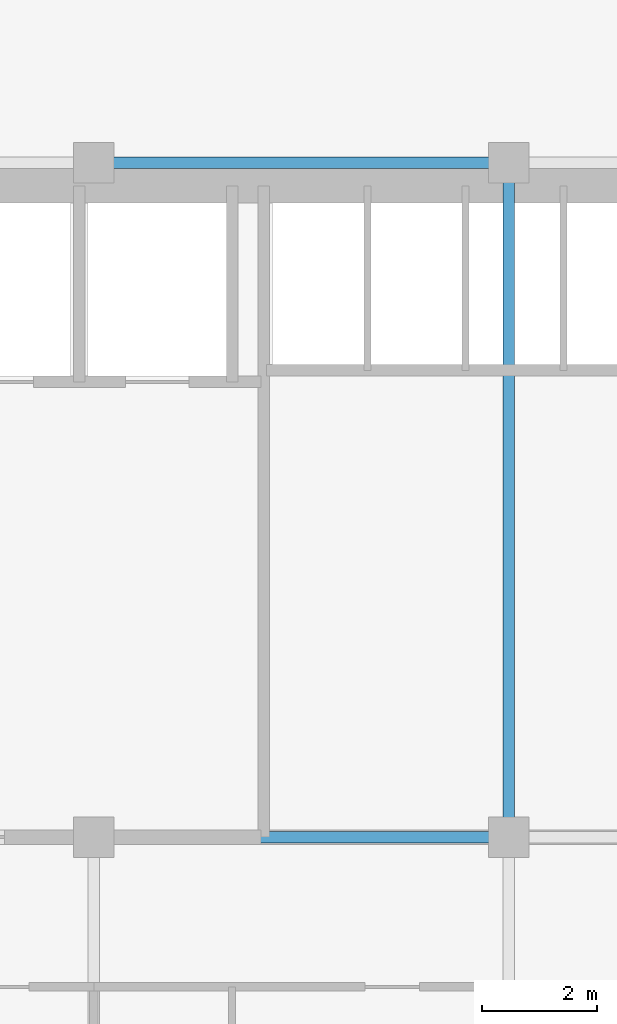
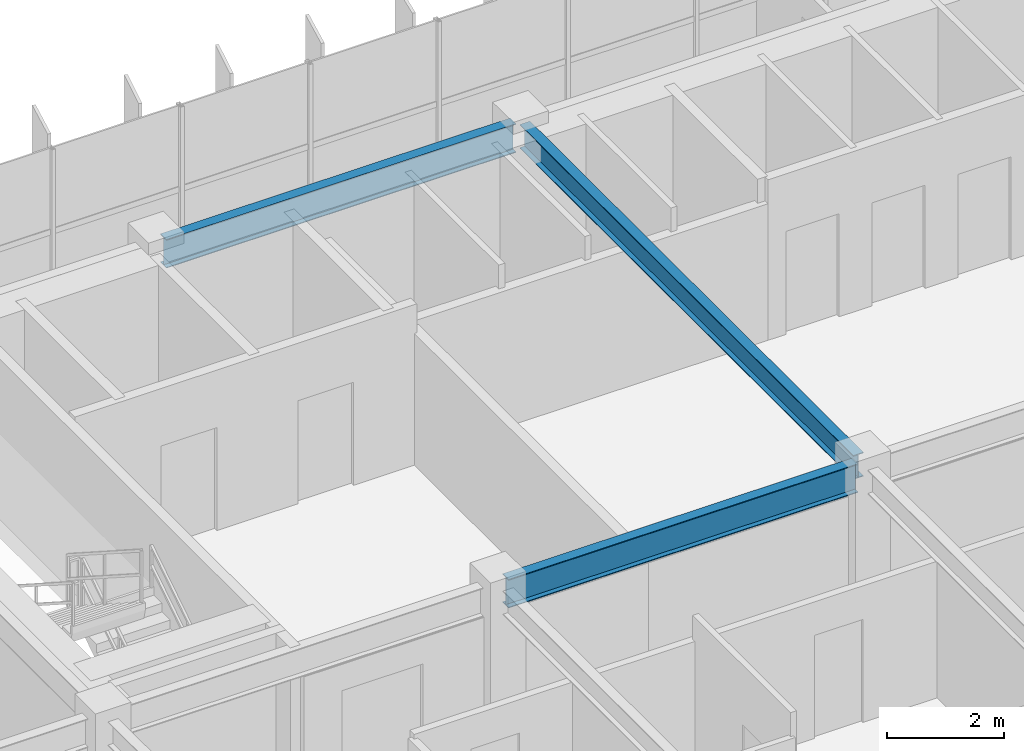
# One storey, part 5 of 22: 3 beams.
"""IFC4 building model written with IfcOpenShell, lengths in metres."""

import ifcopenshell
import ifcopenshell.guid

model = None  # the IFC model being written
_history = None  # IfcOwnerHistory: only IFC2X3 demands one
_inside = {}  # id of a spatial element -> (the spatial element, [elements in it])
_under = {}  # id of a project, library or spatial element -> (it, [spatial elements below it])
_declared = {}  # id of a project -> (the project, [libraries it declares])
_typed = {}  # id of a type object -> (the type object, [elements of that type])
_made_of = {}  # id of a material, layer set ... -> (it, [elements and type objects made of it])


def new_model(schema):
    """Start an empty IFC model of exactly this schema.

    Asked for "IFC4X3", IfcOpenShell would pick the latest addendum, in which some entities
    have other attributes; the version numbers below select the first issue.
    IFC2X3 requires an IfcOwnerHistory on every rooted entity: one is made here for all.
    """
    global model, _history
    if schema == "IFC4X3":
        model = ifcopenshell.file(schema_version=(4, 3, 0, 0))
    else:
        model = ifcopenshell.file(schema=schema)
    _inside.clear()
    _under.clear()
    _declared.clear()
    _typed.clear()
    _made_of.clear()
    _history = None
    if model.schema == "IFC2X3":
        org = make("IfcOrganization", Name="unknown")
        user = make(
            "IfcPersonAndOrganization",
            ThePerson=make("IfcPerson", FamilyName="unknown"),
            TheOrganization=org,
        )
        app = make(
            "IfcApplication",
            ApplicationDeveloper=org,
            Version="unknown",
            ApplicationFullName="unknown",
            ApplicationIdentifier="unknown",
        )
        _history = make(
            "IfcOwnerHistory",
            OwningUser=user,
            OwningApplication=app,
            ChangeAction="ADDED",
            CreationDate=0,
        )
    return model


def make(cls, **values):
    """One entity of the class cls with the attributes given. An attribute that is None is left unset."""
    return model.create_entity(
        cls, **{name: value for name, value in values.items() if value is not None}
    )


def rooted(cls, **values):
    """An entity with a GlobalId (a new one), such as an element, a storey or a relation."""
    return make(cls, GlobalId=ifcopenshell.guid.new(), OwnerHistory=_history, **values)


def si_unit(unit_type, name, prefix=None):
    """IfcSIUnit, for example si_unit("LENGTHUNIT", "METRE", prefix="MILLI")."""
    return make("IfcSIUnit", UnitType=unit_type, Prefix=prefix, Name=name)


def assignment(units):
    """IfcUnitAssignment: the units of a project."""
    return None if units is None else make("IfcUnitAssignment", Units=units)


def point(xyz):
    """IfcCartesianPoint."""
    return None if xyz is None else make("IfcCartesianPoint", Coordinates=xyz)


def direction(xyz):
    """IfcDirection."""
    return None if xyz is None else make("IfcDirection", DirectionRatios=xyz)


def frame(location, z_axis=None, x_axis=None):
    """IfcAxis2Placement3D, a coordinate frame: its origin and axes. An axis left out is left unset."""
    return make(
        "IfcAxis2Placement3D",
        Location=point(location),
        Axis=direction(z_axis),
        RefDirection=direction(x_axis),
    )


def frame_2d(location, x_axis=None):
    """IfcAxis2Placement2D, a coordinate frame in the plane: its origin and x axis."""
    return make(
        "IfcAxis2Placement2D", Location=point(location), RefDirection=direction(x_axis)
    )


def origin():
    """The frame at (0, 0, 0) with its axes left unset."""
    return frame((0.0, 0.0, 0.0))


def origin_2d():
    """The frame at (0, 0) in the plane with its x axis left unset."""
    return frame_2d((0.0, 0.0))


def place(relative_to, where):
    """IfcLocalPlacement: puts the frame where relative to a parent placement (None: the world)."""
    return make(
        "IfcLocalPlacement", PlacementRelTo=relative_to, RelativePlacement=where
    )


def context(
    kind, dimensions, precision=None, world=None, true_north=None, identifier=None
):
    """IfcGeometricRepresentationContext, for example the 3D "Model" context."""
    return make(
        "IfcGeometricRepresentationContext",
        ContextIdentifier=identifier,
        ContextType=kind,
        CoordinateSpaceDimension=dimensions,
        Precision=precision,
        WorldCoordinateSystem=world,
        TrueNorth=true_north,
    )


def subcontext(parent, identifier, kind, view, scale=None):
    """IfcGeometricRepresentationSubContext, for example "Body" below "Model"."""
    return make(
        "IfcGeometricRepresentationSubContext",
        ContextIdentifier=identifier,
        ContextType=kind,
        ParentContext=parent,
        TargetScale=scale,
        TargetView=view,
    )


def project(units=None, contexts=None):
    """IfcProject with its units and contexts."""
    return rooted(
        "IfcProject",
        Name="project",
        RepresentationContexts=contexts,
        UnitsInContext=assignment(units),
    )


def spatial(cls, under=None, at=None, **own):
    """A site, building, storey or space (cls), placed at a placement, below another one or the project."""
    s = rooted(cls, ObjectPlacement=at, **own)
    if under is not None:
        _under.setdefault(under.id(), (under, []))[1].append(s)
    return s


def profile(cls, at=None, kind="AREA", **sizes):
    """A parametric profile (cls). Its sizes go by their IFC names, for example OverallWidth=200.0."""
    return make(cls, ProfileType=kind, Position=at, **sizes)


def i_section(**sizes):
    """IfcIShapeProfileDef."""
    return profile("IfcIShapeProfileDef", **sizes)


def extrude(swept, where, along, depth):
    """IfcExtrudedAreaSolid: the profile swept, set in the frame where, extruded along a direction by depth."""
    return make(
        "IfcExtrudedAreaSolid",
        SweptArea=swept,
        Position=where,
        ExtrudedDirection=direction(along),
        Depth=depth,
    )


def shape(context_of_items, identifier, shape_type, items):
    """IfcShapeRepresentation: the items that make up one representation, for example the "Body"."""
    return make(
        "IfcShapeRepresentation",
        ContextOfItems=context_of_items,
        RepresentationIdentifier=identifier,
        RepresentationType=shape_type,
        Items=items,
    )


def source(mapping_origin, context_of_items, identifier, shape_type, items):
    """IfcRepresentationMap: a shape defined once, which mapped items show again and again."""
    return make(
        "IfcRepresentationMap",
        MappingOrigin=mapping_origin,
        MappedRepresentation=shape(context_of_items, identifier, shape_type, items),
    )


def transform(
    local_origin,
    x_axis=None,
    y_axis=None,
    z_axis=None,
    scale=None,
    scale2=None,
    scale3=None,
    uniform=True,
):
    """IfcCartesianTransformationOperator3D, or its non-uniform kind. x_axis, y_axis, z_axis: its Axis1, 2, 3."""
    if uniform:
        return make(
            "IfcCartesianTransformationOperator3D",
            Axis1=direction(x_axis),
            Axis2=direction(y_axis),
            LocalOrigin=point(local_origin),
            Scale=scale,
            Axis3=direction(z_axis),
        )
    return make(
        "IfcCartesianTransformationOperator3DnonUniform",
        Axis1=direction(x_axis),
        Axis2=direction(y_axis),
        LocalOrigin=point(local_origin),
        Scale=scale,
        Axis3=direction(z_axis),
        Scale2=scale2,
        Scale3=scale3,
    )


def mapped(mapping_source, mapping_target):
    """IfcMappedItem: shows the shape of a source again, moved by a transform."""
    return make(
        "IfcMappedItem", MappingSource=mapping_source, MappingTarget=mapping_target
    )


def material(Name=None, Category=None):
    """IfcMaterial."""
    return make("IfcMaterial", Name=Name, Category=Category)


def material_profile(
    of_material, cross_section, Name=None, Category=None, Priority=None
):
    """IfcMaterialProfile: a cross section and its material."""
    return make(
        "IfcMaterialProfile",
        Name=Name,
        Material=of_material,
        Profile=cross_section,
        Priority=Priority,
        Category=Category,
    )


def profile_set(profiles, Name=None, composite=None):
    """IfcMaterialProfileSet."""
    return make(
        "IfcMaterialProfileSet",
        Name=Name,
        MaterialProfiles=profiles,
        CompositeProfile=composite,
    )


def made_of(thing, what):
    """Note that an element or type object is made of a material, layer set ...; save() writes the relation."""
    if what is not None:
        _made_of.setdefault(what.id(), (what, []))[1].append(thing)
    return thing


def type_object(cls, material=None, **own):
    """A type object (cls), such as IfcWallType, which elements share."""
    return made_of(rooted(cls, **own), material)


def element(
    cls,
    number,
    at=None,
    inside=None,
    cuts=None,
    type_object=None,
    material=None,
    context=None,
    identifier="Body",
    shape_type=None,
    held_by="IfcProductDefinitionShape",
    body=None,
    shapes=None,
    **own,
):
    """One element of the class cls, such as IfcWall. Its Tag is "e" and its number.

    at: its placement. inside: the storey or other place that contains it. cuts: it is an
    opening in that element (IfcRelVoidsElement). A single representation is given by context,
    identifier, shape_type and body (its items); several are given by shapes. held_by: the class
    of the entity that holds the representations. save() writes the other relations.
    """
    e = rooted(cls, Tag="e%d" % number, ObjectPlacement=at, **own)
    if body is not None:
        shapes = [shape(context, identifier, shape_type, body)]
    if shapes is not None:
        e.Representation = make(held_by, Representations=shapes)
    if inside is not None:
        _inside.setdefault(inside.id(), (inside, []))[1].append(e)
    if cuts is not None:
        rooted(
            "IfcRelVoidsElement", RelatingBuildingElement=cuts, RelatedOpeningElement=e
        )
    if type_object is not None:
        _typed.setdefault(type_object.id(), (type_object, []))[1].append(e)
    return made_of(e, material)


def aggregate(whole, parts):
    """IfcRelAggregates: a whole, such as a stair, and the parts it consists of."""
    return rooted("IfcRelAggregates", RelatingObject=whole, RelatedObjects=parts)


def save(model, path):
    """Write the relations noted so far, then the file.

    IfcRelAggregates (storeys below a building ...), IfcRelContainedInSpatialStructure (elements
    in a storey), IfcRelDefinesByType, IfcRelAssociatesMaterial and IfcRelDeclares: one each for
    every whole, place, type object, material and project.
    """
    for whole, parts in _under.values():
        aggregate(whole, parts)
    for where, things in _inside.values():
        rooted(
            "IfcRelContainedInSpatialStructure",
            RelatedElements=things,
            RelatingStructure=where,
        )
    for kind, things in _typed.values():
        rooted("IfcRelDefinesByType", RelatedObjects=things, RelatingType=kind)
    for what, things in _made_of.values():
        rooted("IfcRelAssociatesMaterial", RelatedObjects=things, RelatingMaterial=what)
    for by, libraries in _declared.values():
        rooted("IfcRelDeclares", RelatingContext=by, RelatedDefinitions=libraries)
    model.write(path)


model = new_model("IFC4")

# Units and contexts
model_context = context("Model", 3, precision=1e-05, world=origin(), true_north=direction((0.0, 1.0)))
body_context = subcontext(model_context, "Body", "Model", "MODEL_VIEW")
ifc_project = project(units=[si_unit("LENGTHUNIT", "METRE"), si_unit("AREAUNIT", "SQUARE_METRE"), si_unit("VOLUMEUNIT", "CUBIC_METRE"), si_unit("PLANEANGLEUNIT", "RADIAN"), si_unit("MASSUNIT", "GRAM", prefix="KILO")], contexts=[model_context])

# Site, building, storey
site_placement = place(None, origin())
site = spatial("IfcSite", under=ifc_project, at=site_placement, CompositionType="ELEMENT")
building_placement = place(site_placement, origin())
building = spatial("IfcBuilding", under=site, at=building_placement, Name="Trelvane Seafront Commons", CompositionType="ELEMENT")
storey_placement = place(building_placement, frame((0.0, 0.0, 132.10009765625)))
storey = spatial("IfcBuildingStorey", under=building, at=storey_placement, Name="L34", CompositionType="ELEMENT", Elevation=132.10009765625)

# Beams
ifc_material = material(Name="Steel SM355 (S355)", Category="steel")
ifc_material_profile_1 = material_profile(ifc_material, i_section(OverallWidth=0.199951171875, OverallDepth=0.5, WebThickness=0.010009765625, FlangeThickness=0.01611328125, at=origin_2d()), Name="H-500x200x10x16")
ifc_profile_set_1 = profile_set([ifc_material_profile_1], Name="Steel SM355 (S355)")
beam_type_1 = type_object("IfcBeamType", Name="STR-BM-H500", PredefinedType="BEAM", material=ifc_profile_set_1)
shared_shape_1 = source(origin(), body_context, "Body", "SweptSolid", [
    extrude(i_section(OverallWidth=0.199951171875, OverallDepth=0.5, WebThickness=0.010009765625, FlangeThickness=0.01611328125, at=origin_2d()), origin(), (0.0, 0.0, 1.0), 11.39990234375),
])
beam_placement = place(storey_placement, frame((30.60009765625, 33.550048828125, 3.099853515625), z_axis=(0.0, 1.0, 0.0), x_axis=(-1.0, 0.0, 0.0)))
element("IfcBeam", 1, at=beam_placement, inside=storey, type_object=beam_type_1, Name="L34 Primary Girder G-40", PredefinedType="BEAM", context=body_context, shape_type="MappedRepresentation", body=[
    mapped(shared_shape_1, transform((0.0, 0.0, 0.0), x_axis=(1.0, 0.0, 0.0), y_axis=(0.0, 1.0, 0.0), z_axis=(0.0, 0.0, 1.0), scale=1.0)),
])
ifc_material_profile_2 = material_profile(ifc_material, i_section(OverallWidth=0.199951171875, OverallDepth=0.60009765625, WebThickness=0.010986328125, FlangeThickness=0.01708984375, at=origin_2d()), Name="H-600x200x11x17")
ifc_profile_set_2 = profile_set([ifc_material_profile_2], Name="Steel SM355 (S355)")
beam_type_2 = type_object("IfcBeamType", Name="STR-SPD-H600", PredefinedType="SPANDREL", material=ifc_profile_set_2)
shared_shape_2 = source(origin(), body_context, "Body", "SweptSolid", [
    extrude(i_section(OverallWidth=0.199951171875, OverallDepth=0.60009765625, WebThickness=0.010986328125, FlangeThickness=0.01708984375, at=origin_2d()), origin(), (0.0, 0.0, 1.0), 6.89990234375),
])
for number, where, z_axis, x_axis, name in (
    (2, (23.550048828125, 33.39990234375, 3.0498046875), (1.0, 0.0, 0.0), (0.0, 1.0, 0.0), "L34 Primary Girder G-17"),
    (3, (23.550048828125, 45.10009765625, 3.0498046875), (1.0, 0.0, 0.0), (0.0, 1.0, 0.0), "L34 Primary Girder G-24"),
):
    element("IfcBeam", number, at=place(storey_placement, frame(where, z_axis=z_axis, x_axis=x_axis)), inside=storey, type_object=beam_type_2, Name=name, PredefinedType="SPANDREL", context=body_context, shape_type="MappedRepresentation", body=[
        mapped(shared_shape_2, transform((0.0, 0.0, 0.0), x_axis=(1.0, 0.0, 0.0), y_axis=(0.0, 1.0, 0.0), z_axis=(0.0, 0.0, 1.0), scale=1.0)),
    ])

save(model, "model.ifc")
